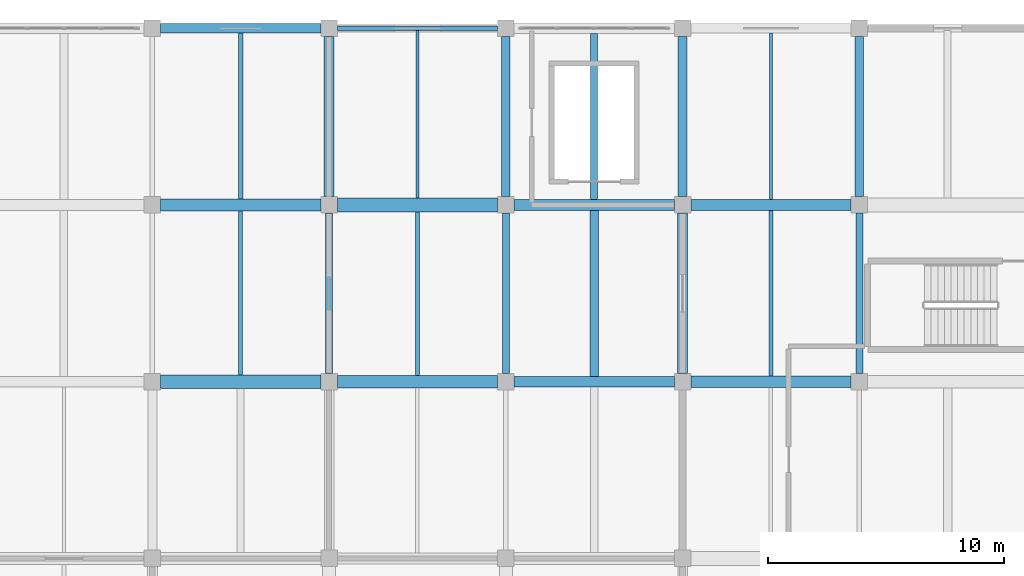
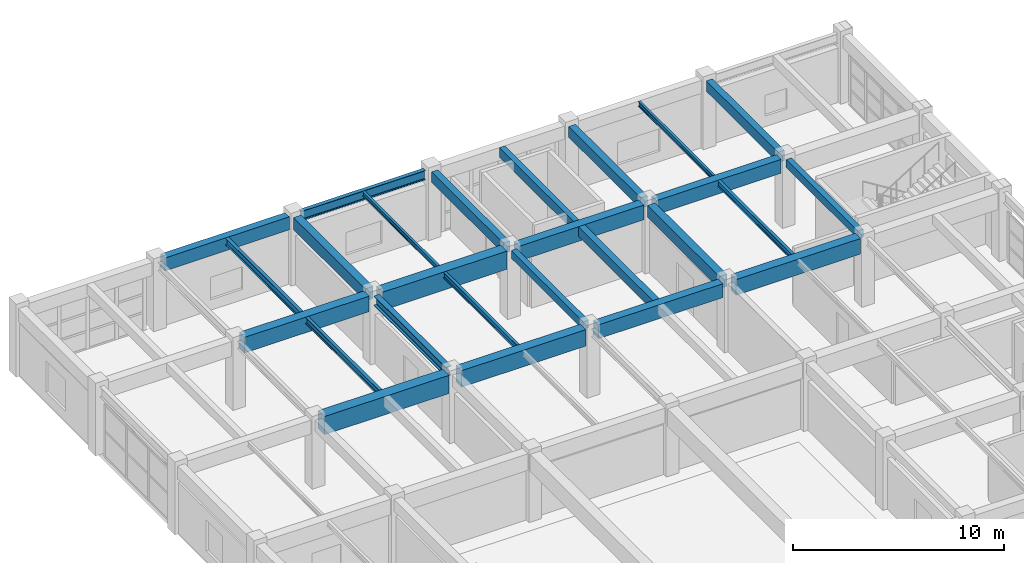
# One storey, part 77 of 132: 26 beams.
"""IFC4 building model written with IfcOpenShell, lengths in metres."""

import ifcopenshell
import ifcopenshell.guid

model = None  # the IFC model being written
_history = None  # IfcOwnerHistory: only IFC2X3 demands one
_inside = {}  # id of a spatial element -> (the spatial element, [elements in it])
_under = {}  # id of a project, library or spatial element -> (it, [spatial elements below it])
_declared = {}  # id of a project -> (the project, [libraries it declares])
_typed = {}  # id of a type object -> (the type object, [elements of that type])
_made_of = {}  # id of a material, layer set ... -> (it, [elements and type objects made of it])


def new_model(schema):
    """Start an empty IFC model of exactly this schema.

    Asked for "IFC4X3", IfcOpenShell would pick the latest addendum, in which some entities
    have other attributes; the version numbers below select the first issue.
    IFC2X3 requires an IfcOwnerHistory on every rooted entity: one is made here for all.
    """
    global model, _history
    if schema == "IFC4X3":
        model = ifcopenshell.file(schema_version=(4, 3, 0, 0))
    else:
        model = ifcopenshell.file(schema=schema)
    _inside.clear()
    _under.clear()
    _declared.clear()
    _typed.clear()
    _made_of.clear()
    _history = None
    if model.schema == "IFC2X3":
        org = make("IfcOrganization", Name="unknown")
        user = make(
            "IfcPersonAndOrganization",
            ThePerson=make("IfcPerson", FamilyName="unknown"),
            TheOrganization=org,
        )
        app = make(
            "IfcApplication",
            ApplicationDeveloper=org,
            Version="unknown",
            ApplicationFullName="unknown",
            ApplicationIdentifier="unknown",
        )
        _history = make(
            "IfcOwnerHistory",
            OwningUser=user,
            OwningApplication=app,
            ChangeAction="ADDED",
            CreationDate=0,
        )
    return model


def make(cls, **values):
    """One entity of the class cls with the attributes given. An attribute that is None is left unset."""
    return model.create_entity(
        cls, **{name: value for name, value in values.items() if value is not None}
    )


def rooted(cls, **values):
    """An entity with a GlobalId (a new one), such as an element, a storey or a relation."""
    return make(cls, GlobalId=ifcopenshell.guid.new(), OwnerHistory=_history, **values)


def si_unit(unit_type, name, prefix=None):
    """IfcSIUnit, for example si_unit("LENGTHUNIT", "METRE", prefix="MILLI")."""
    return make("IfcSIUnit", UnitType=unit_type, Prefix=prefix, Name=name)


def assignment(units):
    """IfcUnitAssignment: the units of a project."""
    return None if units is None else make("IfcUnitAssignment", Units=units)


def point(xyz):
    """IfcCartesianPoint."""
    return None if xyz is None else make("IfcCartesianPoint", Coordinates=xyz)


def direction(xyz):
    """IfcDirection."""
    return None if xyz is None else make("IfcDirection", DirectionRatios=xyz)


def frame(location, z_axis=None, x_axis=None):
    """IfcAxis2Placement3D, a coordinate frame: its origin and axes. An axis left out is left unset."""
    return make(
        "IfcAxis2Placement3D",
        Location=point(location),
        Axis=direction(z_axis),
        RefDirection=direction(x_axis),
    )


def frame_2d(location, x_axis=None):
    """IfcAxis2Placement2D, a coordinate frame in the plane: its origin and x axis."""
    return make(
        "IfcAxis2Placement2D", Location=point(location), RefDirection=direction(x_axis)
    )


def origin():
    """The frame at (0, 0, 0) with its axes left unset."""
    return frame((0.0, 0.0, 0.0))


def origin_2d():
    """The frame at (0, 0) in the plane with its x axis left unset."""
    return frame_2d((0.0, 0.0))


def place(relative_to, where):
    """IfcLocalPlacement: puts the frame where relative to a parent placement (None: the world)."""
    return make(
        "IfcLocalPlacement", PlacementRelTo=relative_to, RelativePlacement=where
    )


def context(
    kind, dimensions, precision=None, world=None, true_north=None, identifier=None
):
    """IfcGeometricRepresentationContext, for example the 3D "Model" context."""
    return make(
        "IfcGeometricRepresentationContext",
        ContextIdentifier=identifier,
        ContextType=kind,
        CoordinateSpaceDimension=dimensions,
        Precision=precision,
        WorldCoordinateSystem=world,
        TrueNorth=true_north,
    )


def subcontext(parent, identifier, kind, view, scale=None):
    """IfcGeometricRepresentationSubContext, for example "Body" below "Model"."""
    return make(
        "IfcGeometricRepresentationSubContext",
        ContextIdentifier=identifier,
        ContextType=kind,
        ParentContext=parent,
        TargetScale=scale,
        TargetView=view,
    )


def project(units=None, contexts=None):
    """IfcProject with its units and contexts."""
    return rooted(
        "IfcProject",
        Name="project",
        RepresentationContexts=contexts,
        UnitsInContext=assignment(units),
    )


def spatial(cls, under=None, at=None, **own):
    """A site, building, storey or space (cls), placed at a placement, below another one or the project."""
    s = rooted(cls, ObjectPlacement=at, **own)
    if under is not None:
        _under.setdefault(under.id(), (under, []))[1].append(s)
    return s


def profile(cls, at=None, kind="AREA", **sizes):
    """A parametric profile (cls). Its sizes go by their IFC names, for example OverallWidth=200.0."""
    return make(cls, ProfileType=kind, Position=at, **sizes)


def rectangle(**sizes):
    """IfcRectangleProfileDef."""
    return profile("IfcRectangleProfileDef", **sizes)


def i_section(**sizes):
    """IfcIShapeProfileDef."""
    return profile("IfcIShapeProfileDef", **sizes)


def extrude(swept, where, along, depth):
    """IfcExtrudedAreaSolid: the profile swept, set in the frame where, extruded along a direction by depth."""
    return make(
        "IfcExtrudedAreaSolid",
        SweptArea=swept,
        Position=where,
        ExtrudedDirection=direction(along),
        Depth=depth,
    )


def shape(context_of_items, identifier, shape_type, items):
    """IfcShapeRepresentation: the items that make up one representation, for example the "Body"."""
    return make(
        "IfcShapeRepresentation",
        ContextOfItems=context_of_items,
        RepresentationIdentifier=identifier,
        RepresentationType=shape_type,
        Items=items,
    )


def material(Name=None, Category=None):
    """IfcMaterial."""
    return make("IfcMaterial", Name=Name, Category=Category)


def material_profile(
    of_material, cross_section, Name=None, Category=None, Priority=None
):
    """IfcMaterialProfile: a cross section and its material."""
    return make(
        "IfcMaterialProfile",
        Name=Name,
        Material=of_material,
        Profile=cross_section,
        Priority=Priority,
        Category=Category,
    )


def profile_set(profiles, Name=None, composite=None):
    """IfcMaterialProfileSet."""
    return make(
        "IfcMaterialProfileSet",
        Name=Name,
        MaterialProfiles=profiles,
        CompositeProfile=composite,
    )


def made_of(thing, what):
    """Note that an element or type object is made of a material, layer set ...; save() writes the relation."""
    if what is not None:
        _made_of.setdefault(what.id(), (what, []))[1].append(thing)
    return thing


def type_object(cls, material=None, **own):
    """A type object (cls), such as IfcWallType, which elements share."""
    return made_of(rooted(cls, **own), material)


def element(
    cls,
    number,
    at=None,
    inside=None,
    cuts=None,
    type_object=None,
    material=None,
    context=None,
    identifier="Body",
    shape_type=None,
    held_by="IfcProductDefinitionShape",
    body=None,
    shapes=None,
    **own,
):
    """One element of the class cls, such as IfcWall. Its Tag is "e" and its number.

    at: its placement. inside: the storey or other place that contains it. cuts: it is an
    opening in that element (IfcRelVoidsElement). A single representation is given by context,
    identifier, shape_type and body (its items); several are given by shapes. held_by: the class
    of the entity that holds the representations. save() writes the other relations.
    """
    e = rooted(cls, Tag="e%d" % number, ObjectPlacement=at, **own)
    if body is not None:
        shapes = [shape(context, identifier, shape_type, body)]
    if shapes is not None:
        e.Representation = make(held_by, Representations=shapes)
    if inside is not None:
        _inside.setdefault(inside.id(), (inside, []))[1].append(e)
    if cuts is not None:
        rooted(
            "IfcRelVoidsElement", RelatingBuildingElement=cuts, RelatedOpeningElement=e
        )
    if type_object is not None:
        _typed.setdefault(type_object.id(), (type_object, []))[1].append(e)
    return made_of(e, material)


def aggregate(whole, parts):
    """IfcRelAggregates: a whole, such as a stair, and the parts it consists of."""
    return rooted("IfcRelAggregates", RelatingObject=whole, RelatedObjects=parts)


def save(model, path):
    """Write the relations noted so far, then the file.

    IfcRelAggregates (storeys below a building ...), IfcRelContainedInSpatialStructure (elements
    in a storey), IfcRelDefinesByType, IfcRelAssociatesMaterial and IfcRelDeclares: one each for
    every whole, place, type object, material and project.
    """
    for whole, parts in _under.values():
        aggregate(whole, parts)
    for where, things in _inside.values():
        rooted(
            "IfcRelContainedInSpatialStructure",
            RelatedElements=things,
            RelatingStructure=where,
        )
    for kind, things in _typed.values():
        rooted("IfcRelDefinesByType", RelatedObjects=things, RelatingType=kind)
    for what, things in _made_of.values():
        rooted("IfcRelAssociatesMaterial", RelatedObjects=things, RelatingMaterial=what)
    for by, libraries in _declared.values():
        rooted("IfcRelDeclares", RelatingContext=by, RelatedDefinitions=libraries)
    model.write(path)


model = new_model("IFC4")

# Units and contexts
model_context = context("Model", 3, precision=1e-05, world=origin(), true_north=direction((0.0, 1.0)))
body_context = subcontext(model_context, "Body", "Model", "MODEL_VIEW")
ifc_project = project(units=[si_unit("LENGTHUNIT", "METRE"), si_unit("AREAUNIT", "SQUARE_METRE"), si_unit("VOLUMEUNIT", "CUBIC_METRE"), si_unit("PLANEANGLEUNIT", "RADIAN"), si_unit("MASSUNIT", "GRAM", prefix="KILO")], contexts=[model_context])

# Site, building, storey
site_placement = place(None, origin())
site = spatial("IfcSite", under=ifc_project, at=site_placement, CompositionType="ELEMENT")
building_placement = place(site_placement, origin())
building = spatial("IfcBuilding", under=site, at=building_placement, Name="Qasida Concert Hall", CompositionType="ELEMENT")
storey_placement = place(building_placement, frame((0.0, 0.0, 4.800048828125)))
storey = spatial("IfcBuildingStorey", under=building, at=storey_placement, Name="L01", CompositionType="ELEMENT", Elevation=4.800048828125)

# Beams
ifc_material_1 = material(Name="Concrete C40/50", Category="concrete")
ifc_material_profile_1 = material_profile(ifc_material_1, rectangle(XDim=0.3798828125, YDim=0.6201171875, at=origin_2d()), Name="RC 380x620")
ifc_profile_set_1 = profile_set([ifc_material_profile_1], Name="Concrete C40/50")
beam_type_1 = type_object("IfcBeamType", Name="BM-B10", PredefinedType="BEAM", material=ifc_profile_set_1)
beam_1_placement = place(storey_placement, frame((150.0, 105.35009765625, 3.60986328125), z_axis=(0.0, 1.0, 0.0), x_axis=(-1.0, 0.0, 0.0)))
element("IfcBeam", 1, at=beam_1_placement, inside=storey, type_object=beam_type_1, Name="L01 girder 1032", PredefinedType="BEAM", context=body_context, shape_type="SweptSolid", body=[
    extrude(rectangle(XDim=0.3798828125, YDim=0.6201171875, at=origin_2d()), origin(), (0.0, 0.0, 1.0), 6.7998046875),
])
ifc_material_profile_2 = material_profile(ifc_material_1, rectangle(XDim=0.419921875, YDim=0.699951171875, at=origin_2d()), Name="RC 420x700")
ifc_profile_set_2 = profile_set([ifc_material_profile_2], Name="Concrete C40/50")
beam_type_2 = type_object("IfcBeamType", Name="BM-B11", PredefinedType="BEAM", material=ifc_profile_set_2)
for number, where, z_axis, x_axis, name in (
    (2, (135.0, 105.35009765625, 3.570068359375), (0.0, 1.0, 0.0), (-1.0, 0.0, 0.0), "L01 girder 1023"),
    (3, (150.0, 97.85009765625, 3.570068359375), (0.0, 1.0, 0.0), (-1.0, 0.0, 0.0), "L01 girder 1031"),
):
    element("IfcBeam", number, at=place(storey_placement, frame(where, z_axis=z_axis, x_axis=x_axis)), inside=storey, type_object=beam_type_2, Name=name, PredefinedType="BEAM", context=body_context, shape_type="SweptSolid", body=[
        extrude(rectangle(XDim=0.419921875, YDim=0.699951171875, at=origin_2d()), origin(), (0.0, 0.0, 1.0), 6.7998046875),
    ])
ifc_material_2 = material(Name="Steel S355J2", Category="steel")
ifc_material_profile_3 = material_profile(ifc_material_2, i_section(OverallWidth=0.300048828125, OverallDepth=0.550048828125, WebThickness=0.014892578125, FlangeThickness=0.029052734375, FilletRadius=0.027099609375, at=origin_2d()), Name="HEB 550")
ifc_profile_set_3 = profile_set([ifc_material_profile_3], Name="Steel S355J2")
beam_type_3 = type_object("IfcBeamType", Name="BM-B12", PredefinedType="BEAM", material=ifc_profile_set_3)
beam_2_placement = place(storey_placement, frame((135.0, 97.85009765625, 3.64501953125), z_axis=(0.0, 1.0, 0.0), x_axis=(-1.0, 0.0, 0.0)))
element("IfcBeam", 4, at=beam_2_placement, inside=storey, type_object=beam_type_3, Name="L01 girder 1022", PredefinedType="BEAM", context=body_context, shape_type="SweptSolid", body=[
    extrude(i_section(OverallWidth=0.300048828125, OverallDepth=0.550048828125, WebThickness=0.014892578125, FlangeThickness=0.029052734375, FilletRadius=0.027099609375, at=origin_2d()), origin(), (0.0, 0.0, 1.0), 6.7998046875),
])
ifc_material_profile_4 = material_profile(ifc_material_1, rectangle(XDim=0.35009765625, YDim=0.60009765625, at=origin_2d()), Name="RC 350x600")
ifc_profile_set_4 = profile_set([ifc_material_profile_4], Name="Concrete C40/50")
beam_type_4 = type_object("IfcBeamType", Name="BM-B2", PredefinedType="BEAM", material=ifc_profile_set_4)
for number, where, z_axis, x_axis, name in (
    (5, (142.5, 105.35009765625, 3.619873046875), (0.0, 1.0, 0.0), (-1.0, 0.0, 0.0), "L01 girder 1027"),
    (6, (157.5, 105.35009765625, 3.619873046875), (0.0, 1.0, 0.0), (-1.0, 0.0, 0.0), "L01 girder 1037"),
):
    element("IfcBeam", number, at=place(storey_placement, frame(where, z_axis=z_axis, x_axis=x_axis)), inside=storey, type_object=beam_type_4, Name=name, PredefinedType="BEAM", context=body_context, shape_type="SweptSolid", body=[
        extrude(rectangle(XDim=0.35009765625, YDim=0.60009765625, at=origin_2d()), origin(), (0.0, 0.0, 1.0), 6.7998046875),
    ])
ifc_material_profile_5 = material_profile(ifc_material_1, rectangle(XDim=0.300048828125, YDim=0.449951171875, at=origin_2d()), Name="RC 300x450")
ifc_profile_set_5 = profile_set([ifc_material_profile_5], Name="Concrete C40/50")
beam_type_5 = type_object("IfcBeamType", Name="BM-B3", PredefinedType="BEAM", material=ifc_profile_set_5)
for number, where, z_axis, x_axis, name in (
    (7, (142.5, 97.85009765625, 3.695068359375), (0.0, 1.0, 0.0), (-1.0, 0.0, 0.0), "L01 girder 1026"),
    (8, (157.5, 97.85009765625, 3.695068359375), (0.0, 1.0, 0.0), (-1.0, 0.0, 0.0), "L01 girder 1036"),
):
    element("IfcBeam", number, at=place(storey_placement, frame(where, z_axis=z_axis, x_axis=x_axis)), inside=storey, type_object=beam_type_5, Name=name, PredefinedType="BEAM", context=body_context, shape_type="SweptSolid", body=[
        extrude(rectangle(XDim=0.300048828125, YDim=0.449951171875, at=origin_2d()), origin(), (0.0, 0.0, 1.0), 6.7998046875),
    ])
ifc_material_profile_6 = material_profile(ifc_material_1, rectangle(XDim=0.5, YDim=0.89990234375, at=origin_2d()), Name="RC 500x900")
ifc_profile_set_6 = profile_set([ifc_material_profile_6], Name="Concrete C40/50")
beam_type_6 = type_object("IfcBeamType", Name="BM-G1", PredefinedType="USERDEFINED", material=ifc_profile_set_6)
for number, where, z_axis, x_axis, name in (
    (9, (150.35009765625, 97.5, 3.469970703125), (1.0, 0.0, 0.0), (0.0, 1.0, 0.0), "Primary girder 0996"),
    (10, (127.85009765625, 105.0, 3.469970703125), (1.0, 0.0, 0.0), (0.0, 1.0, 0.0), "Primary girder 0999"),
):
    element("IfcBeam", number, at=place(storey_placement, frame(where, z_axis=z_axis, x_axis=x_axis)), inside=storey, type_object=beam_type_6, Name=name, ObjectType="GIRDER", PredefinedType="USERDEFINED", context=body_context, shape_type="SweptSolid", body=[
        extrude(rectangle(XDim=0.5, YDim=0.89990234375, at=origin_2d()), origin(), (0.0, 0.0, 1.0), 6.7998046875),
    ])
ifc_material_profile_7 = material_profile(ifc_material_1, rectangle(XDim=0.449951171875, YDim=0.800048828125, at=origin_2d()), Name="RC 450x800")
ifc_profile_set_7 = profile_set([ifc_material_profile_7], Name="Concrete C40/50")
beam_type_7 = type_object("IfcBeamType", Name="BM-G2", PredefinedType="USERDEFINED", material=ifc_profile_set_7)
for number, where, z_axis, x_axis, name in (
    (11, (142.85009765625, 97.5, 3.52001953125), (1.0, 0.0, 0.0), (0.0, 1.0, 0.0), "Primary girder 0995"),
    (12, (150.35009765625, 105.0, 3.52001953125), (1.0, 0.0, 0.0), (0.0, 1.0, 0.0), "Primary girder 1002"),
):
    element("IfcBeam", number, at=place(storey_placement, frame(where, z_axis=z_axis, x_axis=x_axis)), inside=storey, type_object=beam_type_7, Name=name, ObjectType="GIRDER", PredefinedType="USERDEFINED", context=body_context, shape_type="SweptSolid", body=[
        extrude(rectangle(XDim=0.449951171875, YDim=0.800048828125, at=origin_2d()), origin(), (0.0, 0.0, 1.0), 6.7998046875),
    ])
ifc_material_profile_8 = material_profile(ifc_material_1, rectangle(XDim=0.47998046875, YDim=0.85009765625, at=origin_2d()), Name="RC 480x850")
ifc_profile_set_8 = profile_set([ifc_material_profile_8], Name="Concrete C40/50")
beam_type_8 = type_object("IfcBeamType", Name="BM-G6", PredefinedType="USERDEFINED", material=ifc_profile_set_8)
beam_3_placement = place(storey_placement, frame((142.85009765625, 105.0, 3.494873046875), z_axis=(1.0, 0.0, 0.0), x_axis=(0.0, 1.0, 0.0)))
element("IfcBeam", 13, at=beam_3_placement, inside=storey, type_object=beam_type_8, Name="Primary girder 1001", ObjectType="GIRDER", PredefinedType="USERDEFINED", context=body_context, shape_type="SweptSolid", body=[
    extrude(rectangle(XDim=0.47998046875, YDim=0.85009765625, at=origin_2d()), origin(), (0.0, 0.0, 1.0), 6.7998046875),
])
ifc_material_profile_9 = material_profile(ifc_material_1, rectangle(XDim=0.52001953125, YDim=0.949951171875, at=origin_2d()), Name="RC 520x950")
ifc_profile_set_9 = profile_set([ifc_material_profile_9], Name="Concrete C40/50")
beam_type_9 = type_object("IfcBeamType", Name="BM-G7", PredefinedType="USERDEFINED", material=ifc_profile_set_9)
beam_4_placement = place(storey_placement, frame((135.35009765625, 97.5, 3.445068359375), z_axis=(1.0, 0.0, 0.0), x_axis=(0.0, 1.0, 0.0)))
element("IfcBeam", 14, at=beam_4_placement, inside=storey, type_object=beam_type_9, Name="Primary girder 0994", ObjectType="GIRDER", PredefinedType="USERDEFINED", context=body_context, shape_type="SweptSolid", body=[
    extrude(rectangle(XDim=0.52001953125, YDim=0.949951171875, at=origin_2d()), origin(), (0.0, 0.0, 1.0), 6.7998046875),
])
ifc_material_3 = material(Name="Concrete C50/60", Category="concrete")
ifc_material_profile_10 = material_profile(ifc_material_3, rectangle(XDim=0.580078125, YDim=1.050048828125, at=origin_2d()), Name="RC 580x1050")
ifc_profile_set_10 = profile_set([ifc_material_profile_10], Name="Concrete C50/60")
beam_type_10 = type_object("IfcBeamType", Name="BM-G8", PredefinedType="USERDEFINED", material=ifc_profile_set_10)
for number, where, z_axis, x_axis, name in (
    (15, (127.85009765625, 97.5, 3.39501953125), (1.0, 0.0, 0.0), (0.0, 1.0, 0.0), "Primary girder 0993"),
    (16, (135.35009765625, 105.0, 3.39501953125), (1.0, 0.0, 0.0), (0.0, 1.0, 0.0), "Primary girder 1000"),
):
    element("IfcBeam", number, at=place(storey_placement, frame(where, z_axis=z_axis, x_axis=x_axis)), inside=storey, type_object=beam_type_10, Name=name, ObjectType="GIRDER", PredefinedType="USERDEFINED", context=body_context, shape_type="SweptSolid", body=[
        extrude(rectangle(XDim=0.580078125, YDim=1.050048828125, at=origin_2d()), origin(), (0.0, 0.0, 1.0), 6.7998046875),
    ])
ifc_material_profile_11 = material_profile(ifc_material_1, rectangle(XDim=0.300048828125, YDim=0.550048828125, at=origin_2d()), Name="RC 300x550")
ifc_profile_set_11 = profile_set([ifc_material_profile_11], Name="Concrete C40/50")
beam_type_11 = type_object("IfcBeamType", Name="BM-J1", PredefinedType="JOIST", material=ifc_profile_set_11)
beam_5_placement = place(storey_placement, frame((146.25, 105.239990234375, 3.64501953125), z_axis=(0.0, 1.0, 0.0), x_axis=(-1.0, 0.0, 0.0)))
element("IfcBeam", 17, at=beam_5_placement, inside=storey, type_object=beam_type_11, Name="L01 secondary joist 1056", PredefinedType="JOIST", context=body_context, shape_type="SweptSolid", body=[
    extrude(rectangle(XDim=0.300048828125, YDim=0.550048828125, at=origin_2d()), origin(), (0.0, 0.0, 1.0), 7.034912109375),
])
ifc_material_profile_12 = material_profile(ifc_material_2, i_section(OverallWidth=0.169921875, OverallDepth=0.360107421875, WebThickness=0.008056640625, FlangeThickness=0.0126953125, FilletRadius=0.01806640625, at=origin_2d()), Name="IPE 360")
ifc_profile_set_12 = profile_set([ifc_material_profile_12], Name="Steel S355J2")
beam_type_12 = type_object("IfcBeamType", Name="BM-J2", PredefinedType="JOIST", material=ifc_profile_set_12)
beam_6_placement = place(storey_placement, frame((131.25, 97.7900390625, 3.739990234375), z_axis=(0.0, 1.0, 0.0), x_axis=(-1.0, 0.0, 0.0)))
element("IfcBeam", 18, at=beam_6_placement, inside=storey, type_object=beam_type_12, Name="L01 secondary joist 1049", PredefinedType="JOIST", context=body_context, shape_type="SweptSolid", body=[
    extrude(i_section(OverallWidth=0.169921875, OverallDepth=0.360107421875, WebThickness=0.008056640625, FlangeThickness=0.0126953125, FilletRadius=0.01806640625, at=origin_2d()), origin(), (0.0, 0.0, 1.0), 6.9599609375),
])
ifc_material_profile_13 = material_profile(ifc_material_2, i_section(OverallWidth=0.179931640625, OverallDepth=0.39990234375, WebThickness=0.008544921875, FlangeThickness=0.013427734375, FilletRadius=0.02099609375, at=origin_2d()), Name="IPE 400")
ifc_profile_set_13 = profile_set([ifc_material_profile_13], Name="Steel S355J2")
beam_type_13 = type_object("IfcBeamType", Name="BM-J3", PredefinedType="JOIST", material=ifc_profile_set_13)
beam_7_placement = place(storey_placement, frame((131.25, 105.25, 3.719970703125), z_axis=(0.0, 1.0, 0.0), x_axis=(-1.0, 0.0, 0.0)))
element("IfcBeam", 19, at=beam_7_placement, inside=storey, type_object=beam_type_13, Name="L01 secondary joist 1050", PredefinedType="JOIST", context=body_context, shape_type="SweptSolid", body=[
    extrude(i_section(OverallWidth=0.179931640625, OverallDepth=0.39990234375, WebThickness=0.008544921875, FlangeThickness=0.013427734375, FilletRadius=0.02099609375, at=origin_2d()), origin(), (0.0, 0.0, 1.0), 7.050048828125),
])
ifc_material_profile_14 = material_profile(ifc_material_2, i_section(OverallWidth=0.159912109375, OverallDepth=0.330078125, WebThickness=0.007568359375, FlangeThickness=0.011474609375, FilletRadius=0.01806640625, at=origin_2d()), Name="IPE 330")
ifc_profile_set_14 = profile_set([ifc_material_profile_14], Name="Steel S355J2")
beam_type_14 = type_object("IfcBeamType", Name="BM-J5", PredefinedType="JOIST", material=ifc_profile_set_14)
beam_8_placement = place(storey_placement, frame((138.75, 97.760009765625, 3.7548828125), z_axis=(0.0, 1.0, 0.0), x_axis=(-1.0, 0.0, 0.0)))
element("IfcBeam", 20, at=beam_8_placement, inside=storey, type_object=beam_type_14, Name="L01 secondary joist 1052", PredefinedType="JOIST", context=body_context, shape_type="SweptSolid", body=[
    extrude(i_section(OverallWidth=0.159912109375, OverallDepth=0.330078125, WebThickness=0.007568359375, FlangeThickness=0.011474609375, FilletRadius=0.01806640625, at=origin_2d()), origin(), (0.0, 0.0, 1.0), 6.949951171875),
])
beam_9_placement = place(storey_placement, frame((153.75, 97.75, 3.7548828125), z_axis=(0.0, 1.0, 0.0), x_axis=(-1.0, 0.0, 0.0)))
element("IfcBeam", 21, at=beam_9_placement, inside=storey, type_object=beam_type_14, Name="L01 secondary joist 1060", PredefinedType="JOIST", context=body_context, shape_type="SweptSolid", body=[
    extrude(i_section(OverallWidth=0.159912109375, OverallDepth=0.330078125, WebThickness=0.007568359375, FlangeThickness=0.011474609375, FilletRadius=0.01806640625, at=origin_2d()), origin(), (0.0, 0.0, 1.0), 7.02490234375),
])
ifc_material_profile_15 = material_profile(ifc_material_2, i_section(OverallWidth=0.135009765625, OverallDepth=0.27001953125, WebThickness=0.006591796875, FlangeThickness=0.01025390625, FilletRadius=0.014892578125, at=origin_2d()), Name="IPE 270")
ifc_profile_set_15 = profile_set([ifc_material_profile_15], Name="Steel S355J2")
beam_type_15 = type_object("IfcBeamType", Name="BM-J6", PredefinedType="JOIST", material=ifc_profile_set_15)
beam_10_placement = place(storey_placement, frame((138.75, 105.2900390625, 3.784912109375), z_axis=(0.0, 1.0, 0.0), x_axis=(-1.0, 0.0, 0.0)))
element("IfcBeam", 22, at=beam_10_placement, inside=storey, type_object=beam_type_15, Name="L01 secondary joist 1053", PredefinedType="JOIST", context=body_context, shape_type="SweptSolid", body=[
    extrude(i_section(OverallWidth=0.135009765625, OverallDepth=0.27001953125, WebThickness=0.006591796875, FlangeThickness=0.01025390625, FilletRadius=0.014892578125, at=origin_2d()), origin(), (0.0, 0.0, 1.0), 7.10498046875),
])
beam_11_placement = place(storey_placement, frame((153.75, 105.22509765625, 3.784912109375), z_axis=(0.0, 1.0, 0.0), x_axis=(-1.0, 0.0, 0.0)))
element("IfcBeam", 23, at=beam_11_placement, inside=storey, type_object=beam_type_15, Name="L01 secondary joist 1061", PredefinedType="JOIST", context=body_context, shape_type="SweptSolid", body=[
    extrude(i_section(OverallWidth=0.135009765625, OverallDepth=0.27001953125, WebThickness=0.006591796875, FlangeThickness=0.01025390625, FilletRadius=0.014892578125, at=origin_2d()), origin(), (0.0, 0.0, 1.0), 7.074951171875),
])
ifc_material_profile_16 = material_profile(ifc_material_1, rectangle(XDim=0.35009765625, YDim=0.550048828125, at=origin_2d()), Name="RC 350x550")
ifc_profile_set_16 = profile_set([ifc_material_profile_16], Name="Concrete C40/50")
beam_type_16 = type_object("IfcBeamType", Name="BM-J8", PredefinedType="JOIST", material=ifc_profile_set_16)
beam_12_placement = place(storey_placement, frame((146.25, 97.72509765625, 3.64501953125), z_axis=(0.0, 1.0, 0.0), x_axis=(-1.0, 0.0, 0.0)))
element("IfcBeam", 24, at=beam_12_placement, inside=storey, type_object=beam_type_16, Name="L01 secondary joist 1055", PredefinedType="JOIST", context=body_context, shape_type="SweptSolid", body=[
    extrude(rectangle(XDim=0.35009765625, YDim=0.550048828125, at=origin_2d()), origin(), (0.0, 0.0, 1.0), 7.034912109375),
])
ifc_material_profile_17 = material_profile(ifc_material_1, rectangle(XDim=0.39990234375, YDim=0.75, at=origin_2d()), Name="RC 400x750")
ifc_profile_set_17 = profile_set([ifc_material_profile_17], Name="Concrete C40/50")
beam_type_17 = type_object("IfcBeamType", Name="BM-SP1", PredefinedType="SPANDREL", material=ifc_profile_set_17)
beam_13_placement = place(storey_placement, frame((127.85009765625, 112.5, 3.544921875), z_axis=(1.0, 0.0, 0.0), x_axis=(0.0, 1.0, 0.0)))
element("IfcBeam", 25, at=beam_13_placement, inside=storey, type_object=beam_type_17, Name="Primary girder 1005", PredefinedType="SPANDREL", context=body_context, shape_type="SweptSolid", body=[
    extrude(rectangle(XDim=0.39990234375, YDim=0.75, at=origin_2d()), origin(), (0.0, 0.0, 1.0), 6.7998046875),
])
ifc_material_profile_18 = material_profile(ifc_material_2, i_section(OverallWidth=0.2099609375, OverallDepth=0.550048828125, WebThickness=0.010986328125, FlangeThickness=0.01708984375, FilletRadius=0.02392578125, at=origin_2d()), Name="IPE 550")
ifc_profile_set_18 = profile_set([ifc_material_profile_18], Name="Steel S355J2")
beam_type_18 = type_object("IfcBeamType", Name="BM-SP2", PredefinedType="SPANDREL", material=ifc_profile_set_18)
beam_14_placement = place(storey_placement, frame((135.35009765625, 112.5, 3.64501953125), z_axis=(1.0, 0.0, 0.0), x_axis=(0.0, 1.0, 0.0)))
element("IfcBeam", 26, at=beam_14_placement, inside=storey, type_object=beam_type_18, Name="Primary girder 1006", PredefinedType="SPANDREL", context=body_context, shape_type="SweptSolid", body=[
    extrude(i_section(OverallWidth=0.2099609375, OverallDepth=0.550048828125, WebThickness=0.010986328125, FlangeThickness=0.01708984375, FilletRadius=0.02392578125, at=origin_2d()), origin(), (0.0, 0.0, 1.0), 6.7998046875),
])

save(model, "model.ifc")
